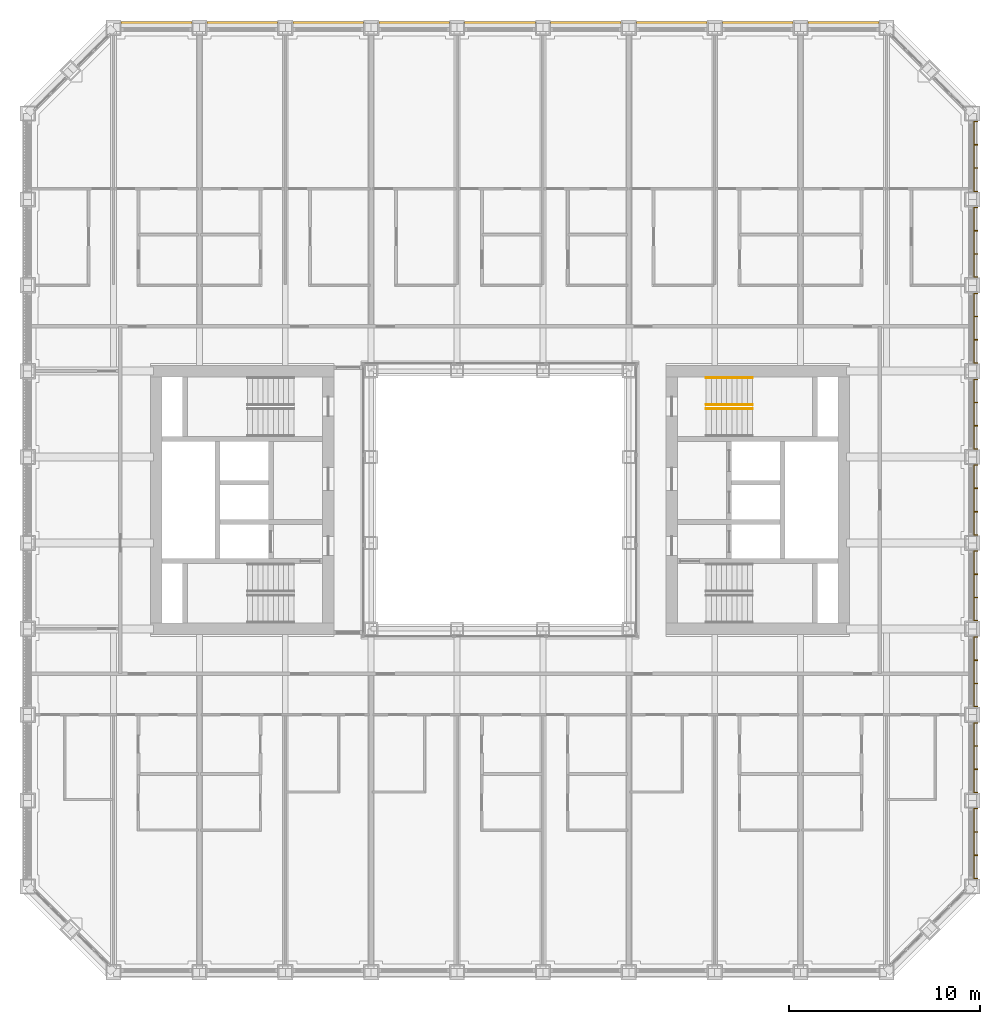
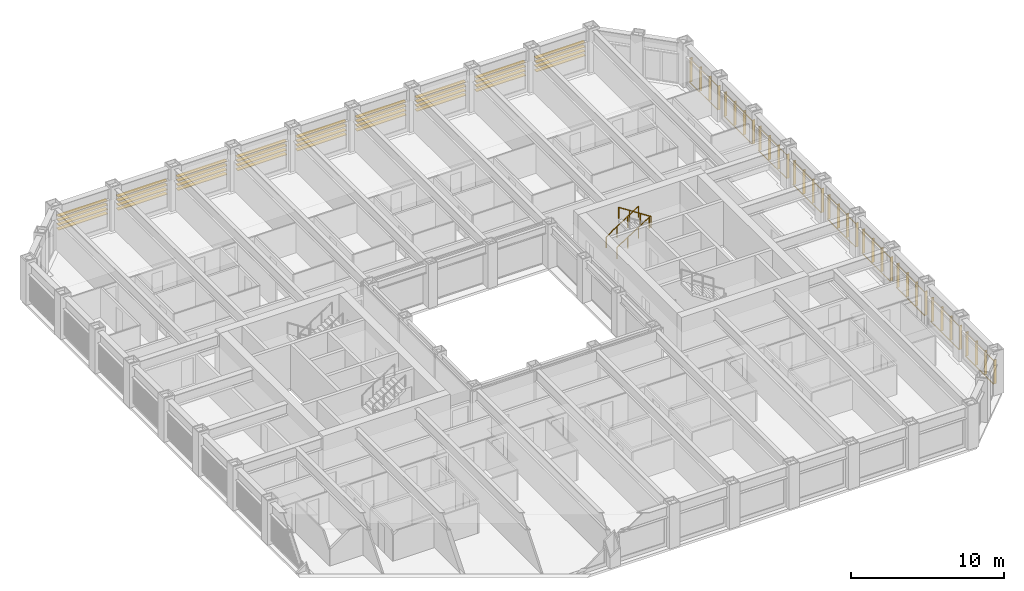
# One storey, part 21 of 21: 3 railings, 2 shading devices.
"""IFC4 building model written with IfcOpenShell, lengths in metres."""

from ifc_helpers import new_model, si_unit, direction, frame, origin, origin_2d, place, context, subcontext, project, spatial, rectangle, circle, extrude, material, type_object, element, save


model = new_model("IFC4")

# Units and contexts
model_context = context("Model", 3, precision=1e-05, world=origin(), true_north=direction((0.0, 1.0)))
body_context = subcontext(model_context, "Body", "Model", "MODEL_VIEW")
ifc_project = project(units=[si_unit("LENGTHUNIT", "METRE"), si_unit("AREAUNIT", "SQUARE_METRE"), si_unit("VOLUMEUNIT", "CUBIC_METRE"), si_unit("PLANEANGLEUNIT", "RADIAN"), si_unit("MASSUNIT", "GRAM", prefix="KILO")], contexts=[model_context])

# Site, building, storey
site_placement = place(None, origin())
site = spatial("IfcSite", under=ifc_project, at=site_placement, CompositionType="ELEMENT")
building_placement = place(site_placement, origin())
building = spatial("IfcBuilding", under=site, at=building_placement, Name="Msasa Ring Tower", CompositionType="ELEMENT")
storey_placement = place(building_placement, frame((0.0, 0.0, 47.5)))
storey = spatial("IfcBuildingStorey", under=building, at=storey_placement, Name="L11", CompositionType="ELEMENT", Elevation=47.5)

# Shading device
ifc_material_1 = material(Name="Extruded terracotta on aluminium carriers", Category="masonry")
shading_device_type_1 = type_object("IfcShadingDeviceType", Name="BS2 TERRACOTTA FIN SCREEN 40x200 AT 1350", PredefinedType="USERDEFINED", material=ifc_material_1)
shading_device_1_placement = place(storey_placement, origin())
element("IfcShadingDevice", 1, at=shading_device_1_placement, inside=storey, type_object=shading_device_type_1, Name="Terracotta fin screen E L11", ObjectType="BAGUETTE", PredefinedType="USERDEFINED", context=body_context, shape_type="SweptSolid", body=[
    extrude(rectangle(XDim=0.06005859375, YDim=0.0400390625, at=origin_2d()), frame((24.830078125, -19.85009765625, 0.330078125), z_axis=(0.0, 1.0, 0.0), x_axis=(0.0, 0.0, 1.0)), (0.0, 0.0, 1.0), 3.699951171875),
    extrude(rectangle(XDim=0.06005859375, YDim=0.0400390625, at=origin_2d()), frame((24.830078125, -19.85009765625, 2.198974609375), z_axis=(0.0, 1.0, 0.0), x_axis=(0.0, 0.0, 1.0)), (0.0, 0.0, 1.0), 3.699951171875),
    extrude(rectangle(XDim=0.0400390625, YDim=0.199951171875, at=origin_2d()), frame((24.945068359375, -19.830078125, 0.300048828125), z_axis=(0.0, 0.0, 1.0), x_axis=(0.0, 1.0, 0.0)), (0.0, 0.0, 1.0), 1.928955078125),
    extrude(rectangle(XDim=0.0400390625, YDim=0.199951171875, at=origin_2d()), frame((24.945068359375, -18.610107421875, 0.300048828125), z_axis=(0.0, 0.0, 1.0), x_axis=(0.0, 1.0, 0.0)), (0.0, 0.0, 1.0), 1.928955078125),
    extrude(rectangle(XDim=0.0400390625, YDim=0.199951171875, at=origin_2d()), frame((24.945068359375, -17.389892578125, 0.300048828125), z_axis=(0.0, 0.0, 1.0), x_axis=(0.0, 1.0, 0.0)), (0.0, 0.0, 1.0), 1.928955078125),
    extrude(rectangle(XDim=0.0400390625, YDim=0.199951171875, at=origin_2d()), frame((24.945068359375, -16.169921875, 0.300048828125), z_axis=(0.0, 0.0, 1.0), x_axis=(0.0, 1.0, 0.0)), (0.0, 0.0, 1.0), 1.928955078125),
    extrude(rectangle(XDim=0.06005859375, YDim=0.0400390625, at=origin_2d()), frame((24.830078125, -15.35009765625, 0.330078125), z_axis=(0.0, 1.0, 0.0), x_axis=(0.0, 0.0, 1.0)), (0.0, 0.0, 1.0), 3.699951171875),
    extrude(rectangle(XDim=0.06005859375, YDim=0.0400390625, at=origin_2d()), frame((24.830078125, -15.35009765625, 2.198974609375), z_axis=(0.0, 1.0, 0.0), x_axis=(0.0, 0.0, 1.0)), (0.0, 0.0, 1.0), 3.699951171875),
    extrude(rectangle(XDim=0.0400390625, YDim=0.199951171875, at=origin_2d()), frame((24.945068359375, -15.330078125, 0.300048828125), z_axis=(0.0, 0.0, 1.0), x_axis=(0.0, 1.0, 0.0)), (0.0, 0.0, 1.0), 1.928955078125),
    extrude(rectangle(XDim=0.0400390625, YDim=0.199951171875, at=origin_2d()), frame((24.945068359375, -14.110107421875, 0.300048828125), z_axis=(0.0, 0.0, 1.0), x_axis=(0.0, 1.0, 0.0)), (0.0, 0.0, 1.0), 1.928955078125),
    extrude(rectangle(XDim=0.0400390625, YDim=0.199951171875, at=origin_2d()), frame((24.945068359375, -12.889892578125, 0.300048828125), z_axis=(0.0, 0.0, 1.0), x_axis=(0.0, 1.0, 0.0)), (0.0, 0.0, 1.0), 1.928955078125),
    extrude(rectangle(XDim=0.0400390625, YDim=0.199951171875, at=origin_2d()), frame((24.945068359375, -11.669921875, 0.300048828125), z_axis=(0.0, 0.0, 1.0), x_axis=(0.0, 1.0, 0.0)), (0.0, 0.0, 1.0), 1.928955078125),
    extrude(rectangle(XDim=0.06005859375, YDim=0.0400390625, at=origin_2d()), frame((24.830078125, -10.85009765625, 0.330078125), z_axis=(0.0, 1.0, 0.0), x_axis=(0.0, 0.0, 1.0)), (0.0, 0.0, 1.0), 3.699951171875),
    extrude(rectangle(XDim=0.06005859375, YDim=0.0400390625, at=origin_2d()), frame((24.830078125, -10.85009765625, 2.198974609375), z_axis=(0.0, 1.0, 0.0), x_axis=(0.0, 0.0, 1.0)), (0.0, 0.0, 1.0), 3.699951171875),
    extrude(rectangle(XDim=0.0400390625, YDim=0.199951171875, at=origin_2d()), frame((24.945068359375, -10.830078125, 0.300048828125), z_axis=(0.0, 0.0, 1.0), x_axis=(0.0, 1.0, 0.0)), (0.0, 0.0, 1.0), 1.928955078125),
    extrude(rectangle(XDim=0.0400390625, YDim=0.199951171875, at=origin_2d()), frame((24.945068359375, -9.610107421875, 0.300048828125), z_axis=(0.0, 0.0, 1.0), x_axis=(0.0, 1.0, 0.0)), (0.0, 0.0, 1.0), 1.928955078125),
    extrude(rectangle(XDim=0.0400390625, YDim=0.199951171875, at=origin_2d()), frame((24.945068359375, -8.389892578125, 0.300048828125), z_axis=(0.0, 0.0, 1.0), x_axis=(0.0, 1.0, 0.0)), (0.0, 0.0, 1.0), 1.928955078125),
    extrude(rectangle(XDim=0.0400390625, YDim=0.199951171875, at=origin_2d()), frame((24.945068359375, -7.169921875, 0.300048828125), z_axis=(0.0, 0.0, 1.0), x_axis=(0.0, 1.0, 0.0)), (0.0, 0.0, 1.0), 1.928955078125),
    extrude(rectangle(XDim=0.06005859375, YDim=0.0400390625, at=origin_2d()), frame((24.830078125, -6.35009765625, 0.330078125), z_axis=(0.0, 1.0, 0.0), x_axis=(0.0, 0.0, 1.0)), (0.0, 0.0, 1.0), 3.699951171875),
    extrude(rectangle(XDim=0.06005859375, YDim=0.0400390625, at=origin_2d()), frame((24.830078125, -6.35009765625, 2.198974609375), z_axis=(0.0, 1.0, 0.0), x_axis=(0.0, 0.0, 1.0)), (0.0, 0.0, 1.0), 3.699951171875),
    extrude(rectangle(XDim=0.0400390625, YDim=0.199951171875, at=origin_2d()), frame((24.945068359375, -6.330078125, 0.300048828125), z_axis=(0.0, 0.0, 1.0), x_axis=(0.0, 1.0, 0.0)), (0.0, 0.0, 1.0), 1.928955078125),
    extrude(rectangle(XDim=0.0400390625, YDim=0.199951171875, at=origin_2d()), frame((24.945068359375, -5.110107421875, 0.300048828125), z_axis=(0.0, 0.0, 1.0), x_axis=(0.0, 1.0, 0.0)), (0.0, 0.0, 1.0), 1.928955078125),
    extrude(rectangle(XDim=0.0400390625, YDim=0.199951171875, at=origin_2d()), frame((24.945068359375, -3.889892578125, 0.300048828125), z_axis=(0.0, 0.0, 1.0), x_axis=(0.0, 1.0, 0.0)), (0.0, 0.0, 1.0), 1.928955078125),
    extrude(rectangle(XDim=0.0400390625, YDim=0.199951171875, at=origin_2d()), frame((24.945068359375, -2.669921875, 0.300048828125), z_axis=(0.0, 0.0, 1.0), x_axis=(0.0, 1.0, 0.0)), (0.0, 0.0, 1.0), 1.928955078125),
    extrude(rectangle(XDim=0.06005859375, YDim=0.0400390625, at=origin_2d()), frame((24.830078125, -1.85009765625, 0.330078125), z_axis=(0.0, 1.0, 0.0), x_axis=(0.0, 0.0, 1.0)), (0.0, 0.0, 1.0), 3.699951171875),
    extrude(rectangle(XDim=0.06005859375, YDim=0.0400390625, at=origin_2d()), frame((24.830078125, -1.85009765625, 2.198974609375), z_axis=(0.0, 1.0, 0.0), x_axis=(0.0, 0.0, 1.0)), (0.0, 0.0, 1.0), 3.699951171875),
    extrude(rectangle(XDim=0.0400390625, YDim=0.199951171875, at=origin_2d()), frame((24.945068359375, -1.830078125, 0.300048828125), z_axis=(0.0, 0.0, 1.0), x_axis=(0.0, 1.0, 0.0)), (0.0, 0.0, 1.0), 1.928955078125),
    extrude(rectangle(XDim=0.0400390625, YDim=0.199951171875, at=origin_2d()), frame((24.945068359375, -0.610107421875, 0.300048828125), z_axis=(0.0, 0.0, 1.0), x_axis=(0.0, 1.0, 0.0)), (0.0, 0.0, 1.0), 1.928955078125),
    extrude(rectangle(XDim=0.0400390625, YDim=0.199951171875, at=origin_2d()), frame((24.945068359375, 0.610107421875, 0.300048828125), z_axis=(0.0, 0.0, 1.0), x_axis=(0.0, 1.0, 0.0)), (0.0, 0.0, 1.0), 1.928955078125),
    extrude(rectangle(XDim=0.0400390625, YDim=0.199951171875, at=origin_2d()), frame((24.945068359375, 1.830078125, 0.300048828125), z_axis=(0.0, 0.0, 1.0), x_axis=(0.0, 1.0, 0.0)), (0.0, 0.0, 1.0), 1.928955078125),
    extrude(rectangle(XDim=0.06005859375, YDim=0.0400390625, at=origin_2d()), frame((24.830078125, 2.64990234375, 0.330078125), z_axis=(0.0, 1.0, 0.0), x_axis=(0.0, 0.0, 1.0)), (0.0, 0.0, 1.0), 3.699951171875),
    extrude(rectangle(XDim=0.06005859375, YDim=0.0400390625, at=origin_2d()), frame((24.830078125, 2.64990234375, 2.198974609375), z_axis=(0.0, 1.0, 0.0), x_axis=(0.0, 0.0, 1.0)), (0.0, 0.0, 1.0), 3.699951171875),
    extrude(rectangle(XDim=0.0400390625, YDim=0.199951171875, at=origin_2d()), frame((24.945068359375, 2.669921875, 0.300048828125), z_axis=(0.0, 0.0, 1.0), x_axis=(0.0, 1.0, 0.0)), (0.0, 0.0, 1.0), 1.928955078125),
    extrude(rectangle(XDim=0.0400390625, YDim=0.199951171875, at=origin_2d()), frame((24.945068359375, 3.889892578125, 0.300048828125), z_axis=(0.0, 0.0, 1.0), x_axis=(0.0, 1.0, 0.0)), (0.0, 0.0, 1.0), 1.928955078125),
    extrude(rectangle(XDim=0.0400390625, YDim=0.199951171875, at=origin_2d()), frame((24.945068359375, 5.110107421875, 0.300048828125), z_axis=(0.0, 0.0, 1.0), x_axis=(0.0, 1.0, 0.0)), (0.0, 0.0, 1.0), 1.928955078125),
    extrude(rectangle(XDim=0.0400390625, YDim=0.199951171875, at=origin_2d()), frame((24.945068359375, 6.330078125, 0.300048828125), z_axis=(0.0, 0.0, 1.0), x_axis=(0.0, 1.0, 0.0)), (0.0, 0.0, 1.0), 1.928955078125),
    extrude(rectangle(XDim=0.06005859375, YDim=0.0400390625, at=origin_2d()), frame((24.830078125, 7.14990234375, 0.330078125), z_axis=(0.0, 1.0, 0.0), x_axis=(0.0, 0.0, 1.0)), (0.0, 0.0, 1.0), 3.699951171875),
    extrude(rectangle(XDim=0.06005859375, YDim=0.0400390625, at=origin_2d()), frame((24.830078125, 7.14990234375, 2.198974609375), z_axis=(0.0, 1.0, 0.0), x_axis=(0.0, 0.0, 1.0)), (0.0, 0.0, 1.0), 3.699951171875),
    extrude(rectangle(XDim=0.0400390625, YDim=0.199951171875, at=origin_2d()), frame((24.945068359375, 7.169921875, 0.300048828125), z_axis=(0.0, 0.0, 1.0), x_axis=(0.0, 1.0, 0.0)), (0.0, 0.0, 1.0), 1.928955078125),
    extrude(rectangle(XDim=0.0400390625, YDim=0.199951171875, at=origin_2d()), frame((24.945068359375, 8.389892578125, 0.300048828125), z_axis=(0.0, 0.0, 1.0), x_axis=(0.0, 1.0, 0.0)), (0.0, 0.0, 1.0), 1.928955078125),
    extrude(rectangle(XDim=0.0400390625, YDim=0.199951171875, at=origin_2d()), frame((24.945068359375, 9.610107421875, 0.300048828125), z_axis=(0.0, 0.0, 1.0), x_axis=(0.0, 1.0, 0.0)), (0.0, 0.0, 1.0), 1.928955078125),
    extrude(rectangle(XDim=0.0400390625, YDim=0.199951171875, at=origin_2d()), frame((24.945068359375, 10.830078125, 0.300048828125), z_axis=(0.0, 0.0, 1.0), x_axis=(0.0, 1.0, 0.0)), (0.0, 0.0, 1.0), 1.928955078125),
    extrude(rectangle(XDim=0.06005859375, YDim=0.0400390625, at=origin_2d()), frame((24.830078125, 11.64990234375, 0.330078125), z_axis=(0.0, 1.0, 0.0), x_axis=(0.0, 0.0, 1.0)), (0.0, 0.0, 1.0), 3.699951171875),
    extrude(rectangle(XDim=0.06005859375, YDim=0.0400390625, at=origin_2d()), frame((24.830078125, 11.64990234375, 2.198974609375), z_axis=(0.0, 1.0, 0.0), x_axis=(0.0, 0.0, 1.0)), (0.0, 0.0, 1.0), 3.699951171875),
    extrude(rectangle(XDim=0.0400390625, YDim=0.199951171875, at=origin_2d()), frame((24.945068359375, 11.669921875, 0.300048828125), z_axis=(0.0, 0.0, 1.0), x_axis=(0.0, 1.0, 0.0)), (0.0, 0.0, 1.0), 1.928955078125),
    extrude(rectangle(XDim=0.0400390625, YDim=0.199951171875, at=origin_2d()), frame((24.945068359375, 12.889892578125, 0.300048828125), z_axis=(0.0, 0.0, 1.0), x_axis=(0.0, 1.0, 0.0)), (0.0, 0.0, 1.0), 1.928955078125),
    extrude(rectangle(XDim=0.0400390625, YDim=0.199951171875, at=origin_2d()), frame((24.945068359375, 14.110107421875, 0.300048828125), z_axis=(0.0, 0.0, 1.0), x_axis=(0.0, 1.0, 0.0)), (0.0, 0.0, 1.0), 1.928955078125),
    extrude(rectangle(XDim=0.0400390625, YDim=0.199951171875, at=origin_2d()), frame((24.945068359375, 15.330078125, 0.300048828125), z_axis=(0.0, 0.0, 1.0), x_axis=(0.0, 1.0, 0.0)), (0.0, 0.0, 1.0), 1.928955078125),
    extrude(rectangle(XDim=0.06005859375, YDim=0.0400390625, at=origin_2d()), frame((24.830078125, 16.14990234375, 0.330078125), z_axis=(0.0, 1.0, 0.0), x_axis=(0.0, 0.0, 1.0)), (0.0, 0.0, 1.0), 3.699951171875),
    extrude(rectangle(XDim=0.06005859375, YDim=0.0400390625, at=origin_2d()), frame((24.830078125, 16.14990234375, 2.198974609375), z_axis=(0.0, 1.0, 0.0), x_axis=(0.0, 0.0, 1.0)), (0.0, 0.0, 1.0), 3.699951171875),
    extrude(rectangle(XDim=0.0400390625, YDim=0.199951171875, at=origin_2d()), frame((24.945068359375, 16.169921875, 0.300048828125), z_axis=(0.0, 0.0, 1.0), x_axis=(0.0, 1.0, 0.0)), (0.0, 0.0, 1.0), 1.928955078125),
    extrude(rectangle(XDim=0.0400390625, YDim=0.199951171875, at=origin_2d()), frame((24.945068359375, 17.389892578125, 0.300048828125), z_axis=(0.0, 0.0, 1.0), x_axis=(0.0, 1.0, 0.0)), (0.0, 0.0, 1.0), 1.928955078125),
    extrude(rectangle(XDim=0.0400390625, YDim=0.199951171875, at=origin_2d()), frame((24.945068359375, 18.610107421875, 0.300048828125), z_axis=(0.0, 0.0, 1.0), x_axis=(0.0, 1.0, 0.0)), (0.0, 0.0, 1.0), 1.928955078125),
    extrude(rectangle(XDim=0.0400390625, YDim=0.199951171875, at=origin_2d()), frame((24.945068359375, 19.830078125, 0.300048828125), z_axis=(0.0, 0.0, 1.0), x_axis=(0.0, 1.0, 0.0)), (0.0, 0.0, 1.0), 1.928955078125),
])

# Railings
ifc_material_2 = material(Name="Stainless steel", Category="steel")
railing_type = type_object("IfcRailingType", Name="HR1 HANDRAIL 900", PredefinedType="HANDRAIL", material=ifc_material_2)
for number, where, name in (
    (2, (10.800048828125, 5.0, 0.175048828125), "Handrail stair SEB L11 1"),
    (3, (10.800048828125, 6.39990234375, 0.175048828125), "Handrail stair SEB L11 2"),
):
    element("IfcRailing", number, at=place(storey_placement, frame(where)), inside=storey, type_object=railing_type, Name=name, PredefinedType="HANDRAIL", context=body_context, shape_type="SweptSolid", body=[
        extrude(circle(Radius=0.02392578125, at=origin_2d()), frame((0.0, 0.0, 0.8759765625), z_axis=(0.839153699163, 0.0, 0.543894354798), x_axis=(0.0, 1.0, 0.0)), (0.0, 0.0, 1.0), 2.895751953125),
        extrude(circle(Radius=0.02099609375, at=origin_2d()), origin(), (0.0, 0.0, 1.0), 0.851806640625),
        extrude(circle(Radius=0.02099609375, at=origin_2d()), frame((0.81005859375, 0.0, 0.52490234375)), (0.0, 0.0, 1.0), 0.851806640625),
        extrude(circle(Radius=0.02099609375, at=origin_2d()), frame((1.619873046875, 0.0, 1.050048828125)), (0.0, 0.0, 1.0), 0.851806640625),
        extrude(circle(Radius=0.02099609375, at=origin_2d()), frame((2.429931640625, 0.0, 1.574951171875)), (0.0, 0.0, 1.0), 0.851806640625),
    ])
railing_placement = place(storey_placement, frame((13.22998046875, 4.77490234375, 1.925048828125)))
element("IfcRailing", 4, at=railing_placement, inside=storey, type_object=railing_type, Name="Handrail stair SEB L11 4", PredefinedType="HANDRAIL", context=body_context, shape_type="SweptSolid", body=[
    extrude(circle(Radius=0.02392578125, at=origin_2d()), frame((0.0, 0.0, 0.8759765625), z_axis=(-0.839153699163, 0.0, 0.543894354798), x_axis=(0.0, -1.0, 0.0)), (0.0, 0.0, 1.0), 2.895751953125),
    extrude(circle(Radius=0.02099609375, at=origin_2d()), origin(), (0.0, 0.0, 1.0), 0.851806640625),
    extrude(circle(Radius=0.02099609375, at=origin_2d()), frame((-0.81005859375, 0.0, 0.52490234375)), (0.0, 0.0, 1.0), 0.851806640625),
    extrude(circle(Radius=0.02099609375, at=origin_2d()), frame((-1.619873046875, 0.0, 1.050048828125)), (0.0, 0.0, 1.0), 0.851806640625),
    extrude(circle(Radius=0.02099609375, at=origin_2d()), frame((-2.429931640625, 0.0, 1.574951171875)), (0.0, 0.0, 1.0), 0.851806640625),
])

# Shading device
ifc_material_3 = material(Name="Extruded terracotta blades", Category="masonry")
shading_device_type_2 = type_object("IfcShadingDeviceType", Name="SS1 TERRACOTTA SUNSHADE 4 BLADES 300x40 AT 350", PredefinedType="USERDEFINED", material=ifc_material_3)
shading_device_2_placement = place(storey_placement, origin())
element("IfcShadingDevice", 5, at=shading_device_2_placement, inside=storey, type_object=shading_device_type_2, Name="Terracotta sunshade N L11", ObjectType="SUNSHADE", PredefinedType="USERDEFINED", context=body_context, shape_type="SweptSolid", body=[
    extrude(rectangle(XDim=0.0400390625, YDim=0.300048828125, at=origin_2d()), frame((-19.85009765625, 24.929931640625, 2.208984375), z_axis=(1.0, 0.0, 0.0), x_axis=(0.0, 0.0, 1.0)), (0.0, 0.0, 1.0), 3.699951171875),
    extrude(rectangle(XDim=0.0400390625, YDim=0.300048828125, at=origin_2d()), frame((-19.85009765625, 24.929931640625, 1.85888671875), z_axis=(1.0, 0.0, 0.0), x_axis=(0.0, 0.0, 1.0)), (0.0, 0.0, 1.0), 3.699951171875),
    extrude(rectangle(XDim=0.0400390625, YDim=0.300048828125, at=origin_2d()), frame((-19.85009765625, 24.929931640625, 1.509033203125), z_axis=(1.0, 0.0, 0.0), x_axis=(0.0, 0.0, 1.0)), (0.0, 0.0, 1.0), 3.699951171875),
    extrude(rectangle(XDim=0.0400390625, YDim=0.300048828125, at=origin_2d()), frame((-19.85009765625, 24.929931640625, 1.158935546875), z_axis=(1.0, 0.0, 0.0), x_axis=(0.0, 0.0, 1.0)), (0.0, 0.0, 1.0), 3.699951171875),
    extrude(rectangle(XDim=0.0400390625, YDim=0.300048828125, at=origin_2d()), frame((-15.35009765625, 24.929931640625, 2.208984375), z_axis=(1.0, 0.0, 0.0), x_axis=(0.0, 0.0, 1.0)), (0.0, 0.0, 1.0), 3.699951171875),
    extrude(rectangle(XDim=0.0400390625, YDim=0.300048828125, at=origin_2d()), frame((-15.35009765625, 24.929931640625, 1.85888671875), z_axis=(1.0, 0.0, 0.0), x_axis=(0.0, 0.0, 1.0)), (0.0, 0.0, 1.0), 3.699951171875),
    extrude(rectangle(XDim=0.0400390625, YDim=0.300048828125, at=origin_2d()), frame((-15.35009765625, 24.929931640625, 1.509033203125), z_axis=(1.0, 0.0, 0.0), x_axis=(0.0, 0.0, 1.0)), (0.0, 0.0, 1.0), 3.699951171875),
    extrude(rectangle(XDim=0.0400390625, YDim=0.300048828125, at=origin_2d()), frame((-15.35009765625, 24.929931640625, 1.158935546875), z_axis=(1.0, 0.0, 0.0), x_axis=(0.0, 0.0, 1.0)), (0.0, 0.0, 1.0), 3.699951171875),
    extrude(rectangle(XDim=0.0400390625, YDim=0.300048828125, at=origin_2d()), frame((-10.85009765625, 24.929931640625, 2.208984375), z_axis=(1.0, 0.0, 0.0), x_axis=(0.0, 0.0, 1.0)), (0.0, 0.0, 1.0), 3.699951171875),
    extrude(rectangle(XDim=0.0400390625, YDim=0.300048828125, at=origin_2d()), frame((-10.85009765625, 24.929931640625, 1.85888671875), z_axis=(1.0, 0.0, 0.0), x_axis=(0.0, 0.0, 1.0)), (0.0, 0.0, 1.0), 3.699951171875),
    extrude(rectangle(XDim=0.0400390625, YDim=0.300048828125, at=origin_2d()), frame((-10.85009765625, 24.929931640625, 1.509033203125), z_axis=(1.0, 0.0, 0.0), x_axis=(0.0, 0.0, 1.0)), (0.0, 0.0, 1.0), 3.699951171875),
    extrude(rectangle(XDim=0.0400390625, YDim=0.300048828125, at=origin_2d()), frame((-10.85009765625, 24.929931640625, 1.158935546875), z_axis=(1.0, 0.0, 0.0), x_axis=(0.0, 0.0, 1.0)), (0.0, 0.0, 1.0), 3.699951171875),
    extrude(rectangle(XDim=0.0400390625, YDim=0.300048828125, at=origin_2d()), frame((-6.35009765625, 24.929931640625, 2.208984375), z_axis=(1.0, 0.0, 0.0), x_axis=(0.0, 0.0, 1.0)), (0.0, 0.0, 1.0), 3.699951171875),
    extrude(rectangle(XDim=0.0400390625, YDim=0.300048828125, at=origin_2d()), frame((-6.35009765625, 24.929931640625, 1.85888671875), z_axis=(1.0, 0.0, 0.0), x_axis=(0.0, 0.0, 1.0)), (0.0, 0.0, 1.0), 3.699951171875),
    extrude(rectangle(XDim=0.0400390625, YDim=0.300048828125, at=origin_2d()), frame((-6.35009765625, 24.929931640625, 1.509033203125), z_axis=(1.0, 0.0, 0.0), x_axis=(0.0, 0.0, 1.0)), (0.0, 0.0, 1.0), 3.699951171875),
    extrude(rectangle(XDim=0.0400390625, YDim=0.300048828125, at=origin_2d()), frame((-6.35009765625, 24.929931640625, 1.158935546875), z_axis=(1.0, 0.0, 0.0), x_axis=(0.0, 0.0, 1.0)), (0.0, 0.0, 1.0), 3.699951171875),
    extrude(rectangle(XDim=0.0400390625, YDim=0.300048828125, at=origin_2d()), frame((-1.85009765625, 24.929931640625, 2.208984375), z_axis=(1.0, 0.0, 0.0), x_axis=(0.0, 0.0, 1.0)), (0.0, 0.0, 1.0), 3.699951171875),
    extrude(rectangle(XDim=0.0400390625, YDim=0.300048828125, at=origin_2d()), frame((-1.85009765625, 24.929931640625, 1.85888671875), z_axis=(1.0, 0.0, 0.0), x_axis=(0.0, 0.0, 1.0)), (0.0, 0.0, 1.0), 3.699951171875),
    extrude(rectangle(XDim=0.0400390625, YDim=0.300048828125, at=origin_2d()), frame((-1.85009765625, 24.929931640625, 1.509033203125), z_axis=(1.0, 0.0, 0.0), x_axis=(0.0, 0.0, 1.0)), (0.0, 0.0, 1.0), 3.699951171875),
    extrude(rectangle(XDim=0.0400390625, YDim=0.300048828125, at=origin_2d()), frame((-1.85009765625, 24.929931640625, 1.158935546875), z_axis=(1.0, 0.0, 0.0), x_axis=(0.0, 0.0, 1.0)), (0.0, 0.0, 1.0), 3.699951171875),
    extrude(rectangle(XDim=0.0400390625, YDim=0.300048828125, at=origin_2d()), frame((2.64990234375, 24.929931640625, 2.208984375), z_axis=(1.0, 0.0, 0.0), x_axis=(0.0, 0.0, 1.0)), (0.0, 0.0, 1.0), 3.699951171875),
    extrude(rectangle(XDim=0.0400390625, YDim=0.300048828125, at=origin_2d()), frame((2.64990234375, 24.929931640625, 1.85888671875), z_axis=(1.0, 0.0, 0.0), x_axis=(0.0, 0.0, 1.0)), (0.0, 0.0, 1.0), 3.699951171875),
    extrude(rectangle(XDim=0.0400390625, YDim=0.300048828125, at=origin_2d()), frame((2.64990234375, 24.929931640625, 1.509033203125), z_axis=(1.0, 0.0, 0.0), x_axis=(0.0, 0.0, 1.0)), (0.0, 0.0, 1.0), 3.699951171875),
    extrude(rectangle(XDim=0.0400390625, YDim=0.300048828125, at=origin_2d()), frame((2.64990234375, 24.929931640625, 1.158935546875), z_axis=(1.0, 0.0, 0.0), x_axis=(0.0, 0.0, 1.0)), (0.0, 0.0, 1.0), 3.699951171875),
    extrude(rectangle(XDim=0.0400390625, YDim=0.300048828125, at=origin_2d()), frame((7.14990234375, 24.929931640625, 2.208984375), z_axis=(1.0, 0.0, 0.0), x_axis=(0.0, 0.0, 1.0)), (0.0, 0.0, 1.0), 3.699951171875),
    extrude(rectangle(XDim=0.0400390625, YDim=0.300048828125, at=origin_2d()), frame((7.14990234375, 24.929931640625, 1.85888671875), z_axis=(1.0, 0.0, 0.0), x_axis=(0.0, 0.0, 1.0)), (0.0, 0.0, 1.0), 3.699951171875),
    extrude(rectangle(XDim=0.0400390625, YDim=0.300048828125, at=origin_2d()), frame((7.14990234375, 24.929931640625, 1.509033203125), z_axis=(1.0, 0.0, 0.0), x_axis=(0.0, 0.0, 1.0)), (0.0, 0.0, 1.0), 3.699951171875),
    extrude(rectangle(XDim=0.0400390625, YDim=0.300048828125, at=origin_2d()), frame((7.14990234375, 24.929931640625, 1.158935546875), z_axis=(1.0, 0.0, 0.0), x_axis=(0.0, 0.0, 1.0)), (0.0, 0.0, 1.0), 3.699951171875),
    extrude(rectangle(XDim=0.0400390625, YDim=0.300048828125, at=origin_2d()), frame((11.64990234375, 24.929931640625, 2.208984375), z_axis=(1.0, 0.0, 0.0), x_axis=(0.0, 0.0, 1.0)), (0.0, 0.0, 1.0), 3.699951171875),
    extrude(rectangle(XDim=0.0400390625, YDim=0.300048828125, at=origin_2d()), frame((11.64990234375, 24.929931640625, 1.85888671875), z_axis=(1.0, 0.0, 0.0), x_axis=(0.0, 0.0, 1.0)), (0.0, 0.0, 1.0), 3.699951171875),
    extrude(rectangle(XDim=0.0400390625, YDim=0.300048828125, at=origin_2d()), frame((11.64990234375, 24.929931640625, 1.509033203125), z_axis=(1.0, 0.0, 0.0), x_axis=(0.0, 0.0, 1.0)), (0.0, 0.0, 1.0), 3.699951171875),
    extrude(rectangle(XDim=0.0400390625, YDim=0.300048828125, at=origin_2d()), frame((11.64990234375, 24.929931640625, 1.158935546875), z_axis=(1.0, 0.0, 0.0), x_axis=(0.0, 0.0, 1.0)), (0.0, 0.0, 1.0), 3.699951171875),
    extrude(rectangle(XDim=0.0400390625, YDim=0.300048828125, at=origin_2d()), frame((16.14990234375, 24.929931640625, 2.208984375), z_axis=(1.0, 0.0, 0.0), x_axis=(0.0, 0.0, 1.0)), (0.0, 0.0, 1.0), 3.699951171875),
    extrude(rectangle(XDim=0.0400390625, YDim=0.300048828125, at=origin_2d()), frame((16.14990234375, 24.929931640625, 1.85888671875), z_axis=(1.0, 0.0, 0.0), x_axis=(0.0, 0.0, 1.0)), (0.0, 0.0, 1.0), 3.699951171875),
    extrude(rectangle(XDim=0.0400390625, YDim=0.300048828125, at=origin_2d()), frame((16.14990234375, 24.929931640625, 1.509033203125), z_axis=(1.0, 0.0, 0.0), x_axis=(0.0, 0.0, 1.0)), (0.0, 0.0, 1.0), 3.699951171875),
    extrude(rectangle(XDim=0.0400390625, YDim=0.300048828125, at=origin_2d()), frame((16.14990234375, 24.929931640625, 1.158935546875), z_axis=(1.0, 0.0, 0.0), x_axis=(0.0, 0.0, 1.0)), (0.0, 0.0, 1.0), 3.699951171875),
])

save(model, "model.ifc")
